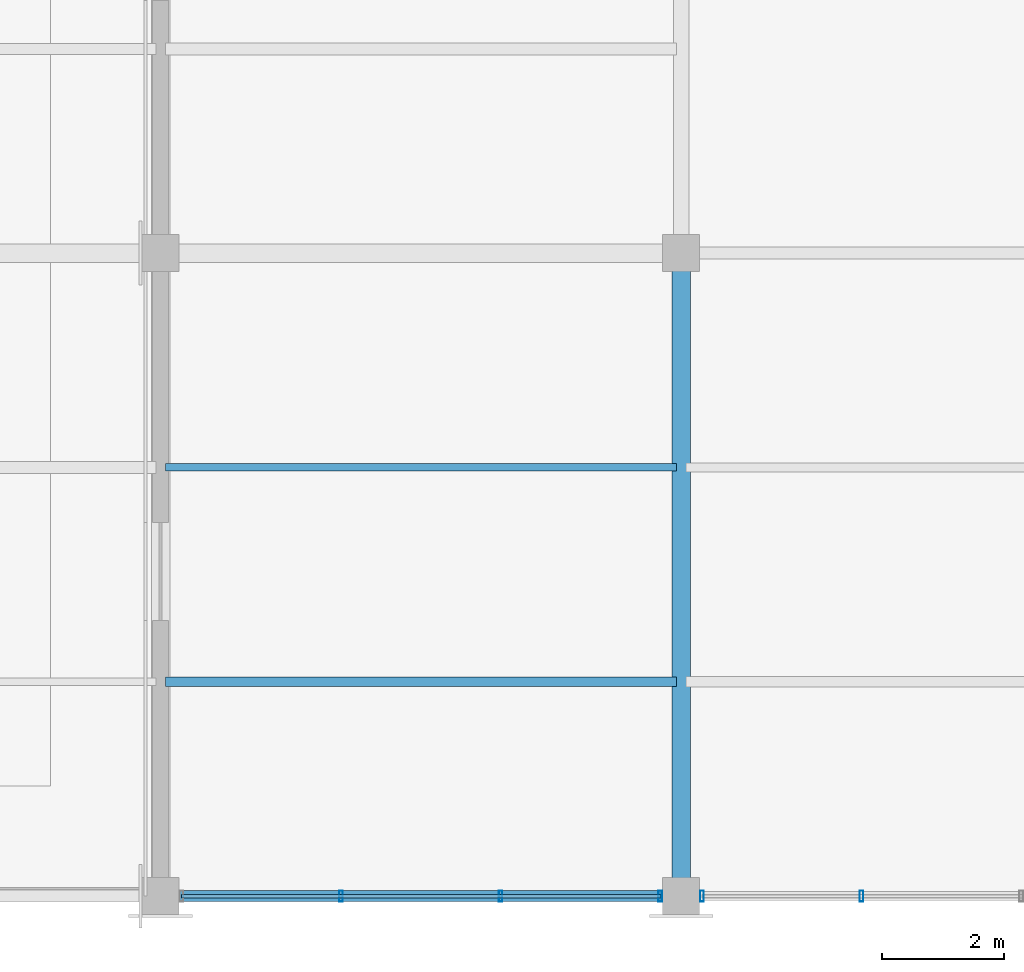
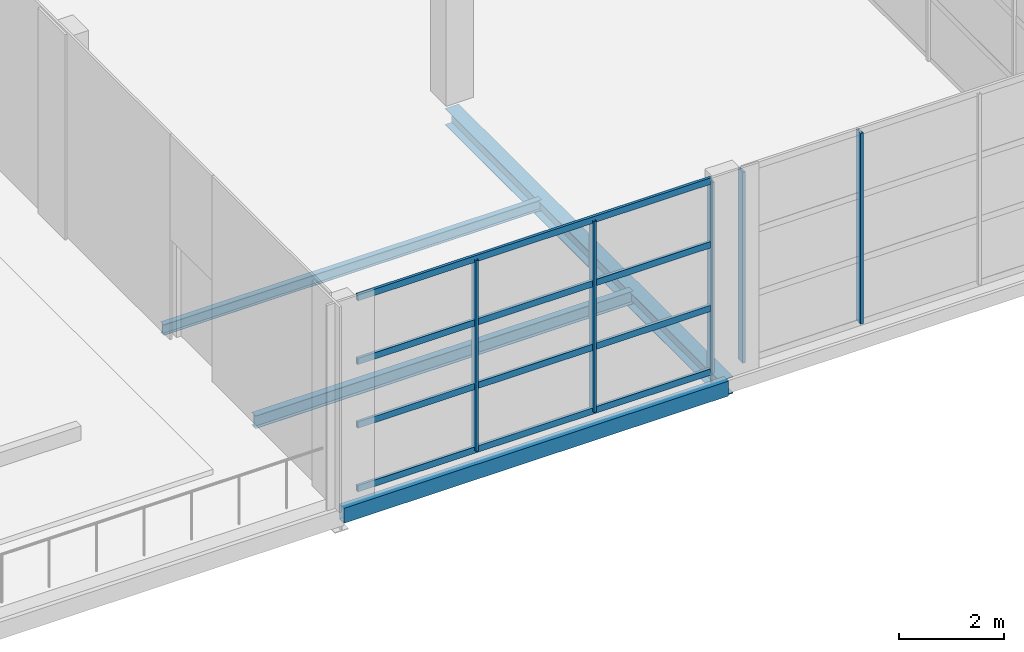
# One storey, part 8 of 46: 9 members, 4 beams, 2 elements without a shape of their own.
"""IFC4 building model written with IfcOpenShell, lengths in metres."""

from ifc_helpers import new_model, si_unit, direction, frame, origin, origin_2d, place, context, subcontext, project, spatial, hollow_rectangle, i_section, extrude, material, material_profile, profile_set, type_object, element, aggregate, save


model = new_model("IFC4")

# Units and contexts
model_context = context("Model", 3, precision=1e-05, world=origin(), true_north=direction((0.0, 1.0)))
body_context = subcontext(model_context, "Body", "Model", "MODEL_VIEW")
ifc_project = project(units=[si_unit("LENGTHUNIT", "METRE"), si_unit("AREAUNIT", "SQUARE_METRE"), si_unit("VOLUMEUNIT", "CUBIC_METRE"), si_unit("PLANEANGLEUNIT", "RADIAN"), si_unit("MASSUNIT", "GRAM", prefix="KILO")], contexts=[model_context])

# Site, building, storey
site_placement = place(None, origin())
site = spatial("IfcSite", under=ifc_project, at=site_placement, CompositionType="ELEMENT")
building_placement = place(site_placement, origin())
building = spatial("IfcBuilding", under=site, at=building_placement, Name="Solvikara Media Centre", CompositionType="ELEMENT")
storey_placement = place(building_placement, frame((0.0, 0.0, 24.60009765625)))
storey = spatial("IfcBuildingStorey", under=building, at=storey_placement, Name="L05", CompositionType="ELEMENT", Elevation=24.60009765625)

# Beams
ifc_material_1 = material(Name="Steel S355JR", Category="steel")
ifc_material_profile_1 = material_profile(ifc_material_1, i_section(OverallWidth=0.14990234375, OverallDepth=0.300048828125, WebThickness=0.006591796875, FlangeThickness=0.009033203125, at=origin_2d()), Name="WF 300x150x6.5x9")
ifc_profile_set_1 = profile_set([ifc_material_profile_1], Name="Steel S355JR")
beam_type_1 = type_object("IfcBeamType", Name="BM-23", PredefinedType="JOIST", material=ifc_profile_set_1)
beam_1_placement = place(storey_placement, frame((51.077880859375, 3.5, -0.43212890625), z_axis=(1.0, 0.0, 0.0), x_axis=(0.0, 1.0, 0.0)))
element("IfcBeam", 1, at=beam_1_placement, inside=storey, type_object=beam_type_1, Name="J-L05-1683", PredefinedType="JOIST", context=body_context, shape_type="SweptSolid", body=[
    extrude(i_section(OverallWidth=0.14990234375, OverallDepth=0.300048828125, WebThickness=0.006591796875, FlangeThickness=0.009033203125, at=origin_2d()), origin(), (0.0, 0.0, 1.0), 8.34423828125),
])
ifc_material_profile_2 = material_profile(ifc_material_1, i_section(OverallWidth=0.125, OverallDepth=0.25, WebThickness=0.006103515625, FlangeThickness=0.009033203125, at=origin_2d()), Name="WF 250x125x6x9")
ifc_profile_set_2 = profile_set([ifc_material_profile_2], Name="Steel S355JR")
beam_type_2 = type_object("IfcBeamType", Name="BM-24", PredefinedType="JOIST", material=ifc_profile_set_2)
beam_2_placement = place(storey_placement, frame((51.077880859375, 7.0, -0.406982421875), z_axis=(1.0, 0.0, 0.0), x_axis=(0.0, 1.0, 0.0)))
element("IfcBeam", 2, at=beam_2_placement, inside=storey, type_object=beam_type_2, Name="J-L05-1684", PredefinedType="JOIST", context=body_context, shape_type="SweptSolid", body=[
    extrude(i_section(OverallWidth=0.125, OverallDepth=0.25, WebThickness=0.006103515625, FlangeThickness=0.009033203125, at=origin_2d()), origin(), (0.0, 0.0, 1.0), 8.34423828125),
])
ifc_material_profile_3 = material_profile(ifc_material_1, i_section(OverallWidth=0.300048828125, OverallDepth=0.389892578125, WebThickness=0.010009765625, FlangeThickness=0.01611328125, at=origin_2d()), Name="H 390x300x10x16")
ifc_profile_set_3 = profile_set([ifc_material_profile_3], Name="Steel S355JR")
beam_type_3 = type_object("IfcBeamType", Name="BM-29", PredefinedType="BEAM", material=ifc_profile_set_3)
beam_3_placement = place(storey_placement, frame((59.5, 0.0, -0.47705078125), z_axis=(0.0, 1.0, 0.0), x_axis=(-1.0, 0.0, 0.0)))
element("IfcBeam", 3, at=beam_3_placement, inside=storey, type_object=beam_type_3, Name="B-L05-Y1661", PredefinedType="BEAM", context=body_context, shape_type="SweptSolid", body=[
    extrude(i_section(OverallWidth=0.300048828125, OverallDepth=0.389892578125, WebThickness=0.010009765625, FlangeThickness=0.01611328125, at=origin_2d()), origin(), (0.0, 0.0, 1.0), 10.5),
])
ifc_material_profile_4 = material_profile(ifc_material_1, hollow_rectangle(XDim=0.175048828125, YDim=0.35009765625, WallThickness=0.010009765625, at=origin_2d()), Name="RHS 350x175x10")
ifc_profile_set_4 = profile_set([ifc_material_profile_4], Name="Steel S355JR")
beam_type_4 = type_object("IfcBeamType", Name="BM-34", PredefinedType="SPANDREL", material=ifc_profile_set_4)
beam_4_placement = place(storey_placement, frame((51.0, 0.0, -0.45703125), z_axis=(1.0, 0.0, 0.0), x_axis=(0.0, 1.0, 0.0)))
element("IfcBeam", 4, at=beam_4_placement, inside=storey, type_object=beam_type_4, Name="B-L05-X1636", PredefinedType="SPANDREL", context=body_context, shape_type="SweptSolid", body=[
    extrude(hollow_rectangle(XDim=0.175048828125, YDim=0.35009765625, WallThickness=0.010009765625, at=origin_2d()), origin(), (0.0, 0.0, 1.0), 8.5),
])

# Curtain wall, members
ifc_material_2 = material(Name="Anodised aluminium EN AW-6063", Category="aluminium")
curtain_wall_type = type_object("IfcCurtainWallType", Name="CW-09", PredefinedType="NOTDEFINED", material=ifc_material_2)
curtain_wall_1_placement = place(storey_placement, origin())
curtain_wall_1 = element("IfcCurtainWall", 5, at=curtain_wall_1_placement, inside=storey, type_object=curtain_wall_type, Name="CW-L05-V6S-S1", PredefinedType="NOTDEFINED")
ifc_material_profile_5 = material_profile(ifc_material_2, hollow_rectangle(XDim=0.06005859375, YDim=0.179931640625, WallThickness=0.00341796875, at=origin_2d()), Name="ALU-M 60x180x3.5")
ifc_profile_set_5 = profile_set([ifc_material_profile_5], Name="Anodised aluminium EN AW-6063")
member_type_1 = type_object("IfcMemberType", Name="MF-03", PredefinedType="MULLION", material=ifc_profile_set_5)
member_1_placement = place(storey_placement, frame((53.947021484375, 0.0, 0.02001953125), z_axis=(0.0, 0.0, 1.0), x_axis=(1.0, 0.0, 0.0)))
member_1 = element("IfcMember", 6, at=member_1_placement, type_object=member_type_1, Name="CW-L05-V6S-S1-M01", PredefinedType="MULLION", context=body_context, shape_type="SweptSolid", body=[
    extrude(hollow_rectangle(XDim=0.06005859375, YDim=0.179931640625, WallThickness=0.00341796875, at=origin_2d()), origin(), (0.0, 0.0, 1.0), 4.4599609375),
])
member_2_placement = place(storey_placement, frame((56.552978515625, 0.0, 0.02001953125), z_axis=(0.0, 0.0, 1.0), x_axis=(1.0, 0.0, 0.0)))
member_2 = element("IfcMember", 7, at=member_2_placement, type_object=member_type_1, Name="CW-L05-V6S-S1-M02", PredefinedType="MULLION", context=body_context, shape_type="SweptSolid", body=[
    extrude(hollow_rectangle(XDim=0.06005859375, YDim=0.179931640625, WallThickness=0.00341796875, at=origin_2d()), origin(), (0.0, 0.0, 1.0), 4.4599609375),
])
member_3_placement = place(storey_placement, frame((59.159912109375, 0.0, 0.02001953125), z_axis=(0.0, 0.0, 1.0), x_axis=(1.0, 0.0, 0.0)))
member_3 = element("IfcMember", 8, at=member_3_placement, type_object=member_type_1, Name="CW-L05-V6S-S1-M03", PredefinedType="MULLION", context=body_context, shape_type="SweptSolid", body=[
    extrude(hollow_rectangle(XDim=0.06005859375, YDim=0.179931640625, WallThickness=0.00341796875, at=origin_2d()), origin(), (0.0, 0.0, 1.0), 4.4599609375),
])

curtain_wall_2_placement = place(storey_placement, origin())
curtain_wall_2 = element("IfcCurtainWall", 9, at=curtain_wall_2_placement, inside=storey, type_object=curtain_wall_type, Name="CW-L05-V6S-S2", PredefinedType="NOTDEFINED")
member_4_placement = place(storey_placement, frame((59.840087890625, 0.0, 0.02001953125), z_axis=(0.0, 0.0, 1.0), x_axis=(1.0, 0.0, 0.0)))
member_4 = element("IfcMember", 10, at=member_4_placement, type_object=member_type_1, Name="CW-L05-V6S-S2-M00", PredefinedType="MULLION", context=body_context, shape_type="SweptSolid", body=[
    extrude(hollow_rectangle(XDim=0.06005859375, YDim=0.179931640625, WallThickness=0.00341796875, at=origin_2d()), origin(), (0.0, 0.0, 1.0), 4.4599609375),
])
member_5_placement = place(storey_placement, frame((62.447021484375, 0.0, 0.02001953125), z_axis=(0.0, 0.0, 1.0), x_axis=(1.0, 0.0, 0.0)))
member_5 = element("IfcMember", 11, at=member_5_placement, type_object=member_type_1, Name="CW-L05-V6S-S2-M01", PredefinedType="MULLION", context=body_context, shape_type="SweptSolid", body=[
    extrude(hollow_rectangle(XDim=0.06005859375, YDim=0.179931640625, WallThickness=0.00341796875, at=origin_2d()), origin(), (0.0, 0.0, 1.0), 4.4599609375),
])
aggregate(curtain_wall_2, [member_4, member_5])

# Member
ifc_material_profile_6 = material_profile(ifc_material_2, hollow_rectangle(XDim=0.06005859375, YDim=0.14990234375, WallThickness=0.0029296875, at=origin_2d()), Name="ALU-T 60x150x3")
ifc_profile_set_6 = profile_set([ifc_material_profile_6], Name="Anodised aluminium EN AW-6063")
member_type_2 = type_object("IfcMemberType", Name="MF-09", PredefinedType="USERDEFINED", material=ifc_profile_set_6)
member_6_placement = place(storey_placement, frame((51.340087890625, 0.0, 0.02001953125), z_axis=(1.0, 0.0, 0.0), x_axis=(0.0, 1.0, 0.0)))
member_6 = element("IfcMember", 12, at=member_6_placement, type_object=member_type_2, Name="CW-L05-V6S-S1-T00", ObjectType="TRANSOM", PredefinedType="USERDEFINED", context=body_context, shape_type="SweptSolid", body=[
    extrude(hollow_rectangle(XDim=0.06005859375, YDim=0.14990234375, WallThickness=0.0029296875, at=origin_2d()), origin(), (0.0, 0.0, 1.0), 7.81982421875),
])

member_7_placement = place(storey_placement, frame((51.340087890625, 0.0, 1.5068359375), z_axis=(1.0, 0.0, 0.0), x_axis=(0.0, 1.0, 0.0)))
member_7 = element("IfcMember", 13, at=member_7_placement, type_object=member_type_2, Name="CW-L05-V6S-S1-T01", ObjectType="TRANSOM", PredefinedType="USERDEFINED", context=body_context, shape_type="SweptSolid", body=[
    extrude(hollow_rectangle(XDim=0.06005859375, YDim=0.14990234375, WallThickness=0.0029296875, at=origin_2d()), origin(), (0.0, 0.0, 1.0), 7.81982421875),
])

member_8_placement = place(storey_placement, frame((51.340087890625, 0.0, 2.992919921875), z_axis=(1.0, 0.0, 0.0), x_axis=(0.0, 1.0, 0.0)))
member_8 = element("IfcMember", 14, at=member_8_placement, type_object=member_type_2, Name="CW-L05-V6S-S1-T02", ObjectType="TRANSOM", PredefinedType="USERDEFINED", context=body_context, shape_type="SweptSolid", body=[
    extrude(hollow_rectangle(XDim=0.06005859375, YDim=0.14990234375, WallThickness=0.0029296875, at=origin_2d()), origin(), (0.0, 0.0, 1.0), 7.81982421875),
])

member_9_placement = place(storey_placement, frame((51.340087890625, 0.0, 4.47998046875), z_axis=(1.0, 0.0, 0.0), x_axis=(0.0, 1.0, 0.0)))
member_9 = element("IfcMember", 15, at=member_9_placement, type_object=member_type_2, Name="CW-L05-V6S-S1-T03", ObjectType="TRANSOM", PredefinedType="USERDEFINED", context=body_context, shape_type="SweptSolid", body=[
    extrude(hollow_rectangle(XDim=0.06005859375, YDim=0.14990234375, WallThickness=0.0029296875, at=origin_2d()), origin(), (0.0, 0.0, 1.0), 7.81982421875),
])

aggregate(curtain_wall_1, [member_1, member_2, member_3, member_6, member_7, member_8, member_9])

save(model, "model.ifc")
